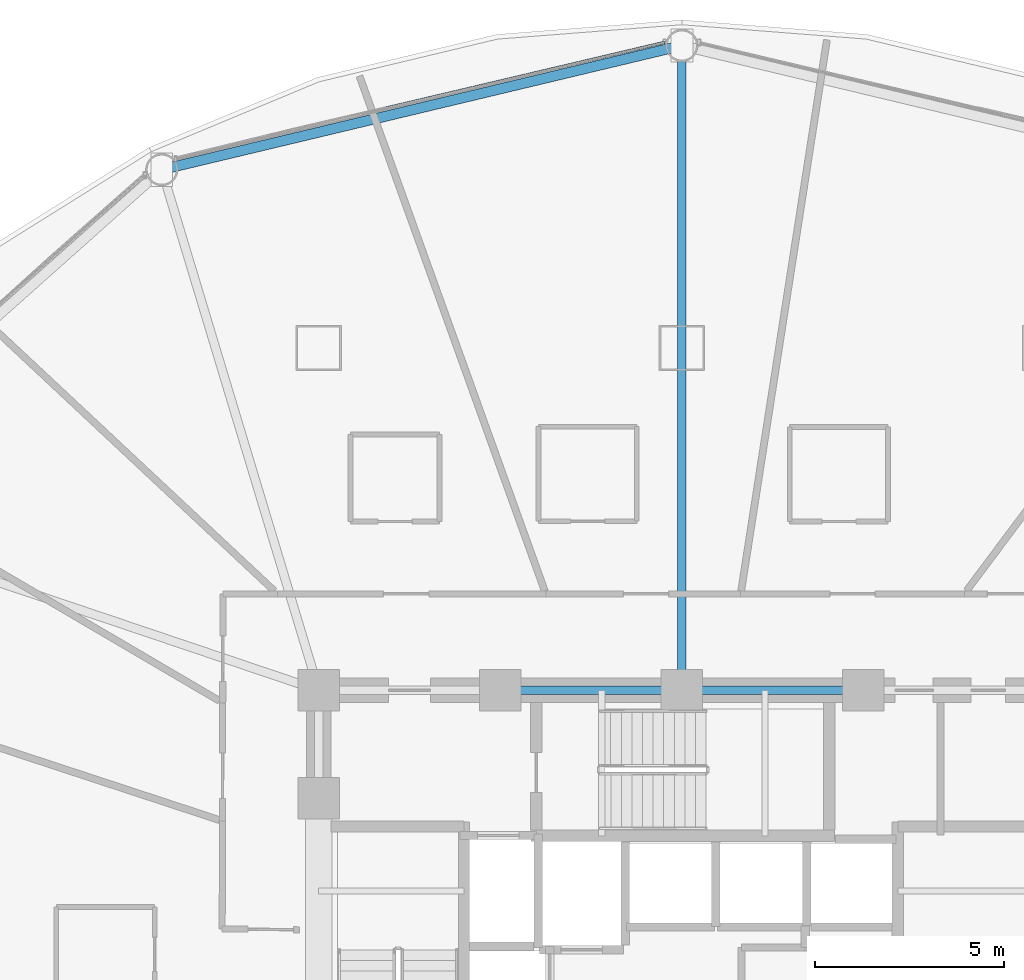
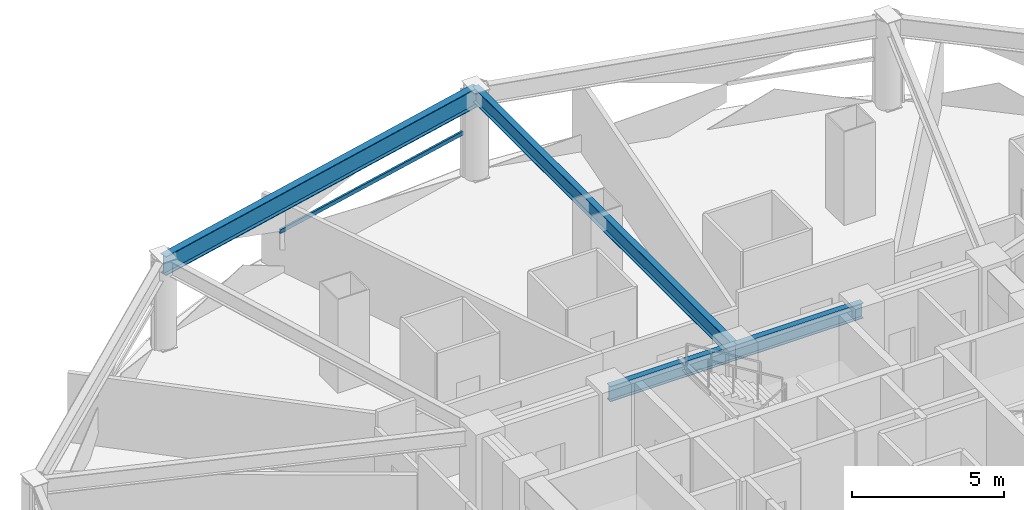
# One storey, part 16 of 30: 4 beams, 1 member, 1 element without a shape of its own.
"""IFC4 building model written with IfcOpenShell, lengths in metres."""

import ifcopenshell
import ifcopenshell.guid

model = None  # the IFC model being written
_history = None  # IfcOwnerHistory: only IFC2X3 demands one
_inside = {}  # id of a spatial element -> (the spatial element, [elements in it])
_under = {}  # id of a project, library or spatial element -> (it, [spatial elements below it])
_declared = {}  # id of a project -> (the project, [libraries it declares])
_typed = {}  # id of a type object -> (the type object, [elements of that type])
_made_of = {}  # id of a material, layer set ... -> (it, [elements and type objects made of it])


def new_model(schema):
    """Start an empty IFC model of exactly this schema.

    Asked for "IFC4X3", IfcOpenShell would pick the latest addendum, in which some entities
    have other attributes; the version numbers below select the first issue.
    IFC2X3 requires an IfcOwnerHistory on every rooted entity: one is made here for all.
    """
    global model, _history
    if schema == "IFC4X3":
        model = ifcopenshell.file(schema_version=(4, 3, 0, 0))
    else:
        model = ifcopenshell.file(schema=schema)
    _inside.clear()
    _under.clear()
    _declared.clear()
    _typed.clear()
    _made_of.clear()
    _history = None
    if model.schema == "IFC2X3":
        org = make("IfcOrganization", Name="unknown")
        user = make(
            "IfcPersonAndOrganization",
            ThePerson=make("IfcPerson", FamilyName="unknown"),
            TheOrganization=org,
        )
        app = make(
            "IfcApplication",
            ApplicationDeveloper=org,
            Version="unknown",
            ApplicationFullName="unknown",
            ApplicationIdentifier="unknown",
        )
        _history = make(
            "IfcOwnerHistory",
            OwningUser=user,
            OwningApplication=app,
            ChangeAction="ADDED",
            CreationDate=0,
        )
    return model


def make(cls, **values):
    """One entity of the class cls with the attributes given. An attribute that is None is left unset."""
    return model.create_entity(
        cls, **{name: value for name, value in values.items() if value is not None}
    )


def rooted(cls, **values):
    """An entity with a GlobalId (a new one), such as an element, a storey or a relation."""
    return make(cls, GlobalId=ifcopenshell.guid.new(), OwnerHistory=_history, **values)


def si_unit(unit_type, name, prefix=None):
    """IfcSIUnit, for example si_unit("LENGTHUNIT", "METRE", prefix="MILLI")."""
    return make("IfcSIUnit", UnitType=unit_type, Prefix=prefix, Name=name)


def assignment(units):
    """IfcUnitAssignment: the units of a project."""
    return None if units is None else make("IfcUnitAssignment", Units=units)


def point(xyz):
    """IfcCartesianPoint."""
    return None if xyz is None else make("IfcCartesianPoint", Coordinates=xyz)


def direction(xyz):
    """IfcDirection."""
    return None if xyz is None else make("IfcDirection", DirectionRatios=xyz)


def frame(location, z_axis=None, x_axis=None):
    """IfcAxis2Placement3D, a coordinate frame: its origin and axes. An axis left out is left unset."""
    return make(
        "IfcAxis2Placement3D",
        Location=point(location),
        Axis=direction(z_axis),
        RefDirection=direction(x_axis),
    )


def frame_2d(location, x_axis=None):
    """IfcAxis2Placement2D, a coordinate frame in the plane: its origin and x axis."""
    return make(
        "IfcAxis2Placement2D", Location=point(location), RefDirection=direction(x_axis)
    )


def origin():
    """The frame at (0, 0, 0) with its axes left unset."""
    return frame((0.0, 0.0, 0.0))


def origin_2d():
    """The frame at (0, 0) in the plane with its x axis left unset."""
    return frame_2d((0.0, 0.0))


def place(relative_to, where):
    """IfcLocalPlacement: puts the frame where relative to a parent placement (None: the world)."""
    return make(
        "IfcLocalPlacement", PlacementRelTo=relative_to, RelativePlacement=where
    )


def context(
    kind, dimensions, precision=None, world=None, true_north=None, identifier=None
):
    """IfcGeometricRepresentationContext, for example the 3D "Model" context."""
    return make(
        "IfcGeometricRepresentationContext",
        ContextIdentifier=identifier,
        ContextType=kind,
        CoordinateSpaceDimension=dimensions,
        Precision=precision,
        WorldCoordinateSystem=world,
        TrueNorth=true_north,
    )


def subcontext(parent, identifier, kind, view, scale=None):
    """IfcGeometricRepresentationSubContext, for example "Body" below "Model"."""
    return make(
        "IfcGeometricRepresentationSubContext",
        ContextIdentifier=identifier,
        ContextType=kind,
        ParentContext=parent,
        TargetScale=scale,
        TargetView=view,
    )


def project(units=None, contexts=None):
    """IfcProject with its units and contexts."""
    return rooted(
        "IfcProject",
        Name="project",
        RepresentationContexts=contexts,
        UnitsInContext=assignment(units),
    )


def spatial(cls, under=None, at=None, **own):
    """A site, building, storey or space (cls), placed at a placement, below another one or the project."""
    s = rooted(cls, ObjectPlacement=at, **own)
    if under is not None:
        _under.setdefault(under.id(), (under, []))[1].append(s)
    return s


def profile(cls, at=None, kind="AREA", **sizes):
    """A parametric profile (cls). Its sizes go by their IFC names, for example OverallWidth=200.0."""
    return make(cls, ProfileType=kind, Position=at, **sizes)


def hollow_rectangle(**sizes):
    """IfcRectangleHollowProfileDef."""
    return profile("IfcRectangleHollowProfileDef", **sizes)


def i_section(**sizes):
    """IfcIShapeProfileDef."""
    return profile("IfcIShapeProfileDef", **sizes)


def extrude(swept, where, along, depth):
    """IfcExtrudedAreaSolid: the profile swept, set in the frame where, extruded along a direction by depth."""
    return make(
        "IfcExtrudedAreaSolid",
        SweptArea=swept,
        Position=where,
        ExtrudedDirection=direction(along),
        Depth=depth,
    )


def shape(context_of_items, identifier, shape_type, items):
    """IfcShapeRepresentation: the items that make up one representation, for example the "Body"."""
    return make(
        "IfcShapeRepresentation",
        ContextOfItems=context_of_items,
        RepresentationIdentifier=identifier,
        RepresentationType=shape_type,
        Items=items,
    )


def material(Name=None, Category=None):
    """IfcMaterial."""
    return make("IfcMaterial", Name=Name, Category=Category)


def layer(
    of_material, thickness, ventilated=None, Name=None, Category=None, Priority=None
):
    """IfcMaterialLayer: one layer of a wall or slab, of a material (None: an air gap)."""
    return make(
        "IfcMaterialLayer",
        Material=of_material,
        LayerThickness=thickness,
        IsVentilated=ventilated,
        Name=Name,
        Category=Category,
        Priority=Priority,
    )


def layer_set(layers, Name=None):
    """IfcMaterialLayerSet."""
    return make("IfcMaterialLayerSet", MaterialLayers=layers, LayerSetName=Name)


def material_profile(
    of_material, cross_section, Name=None, Category=None, Priority=None
):
    """IfcMaterialProfile: a cross section and its material."""
    return make(
        "IfcMaterialProfile",
        Name=Name,
        Material=of_material,
        Profile=cross_section,
        Priority=Priority,
        Category=Category,
    )


def profile_set(profiles, Name=None, composite=None):
    """IfcMaterialProfileSet."""
    return make(
        "IfcMaterialProfileSet",
        Name=Name,
        MaterialProfiles=profiles,
        CompositeProfile=composite,
    )


def made_of(thing, what):
    """Note that an element or type object is made of a material, layer set ...; save() writes the relation."""
    if what is not None:
        _made_of.setdefault(what.id(), (what, []))[1].append(thing)
    return thing


def type_object(cls, material=None, **own):
    """A type object (cls), such as IfcWallType, which elements share."""
    return made_of(rooted(cls, **own), material)


def element(
    cls,
    number,
    at=None,
    inside=None,
    cuts=None,
    type_object=None,
    material=None,
    context=None,
    identifier="Body",
    shape_type=None,
    held_by="IfcProductDefinitionShape",
    body=None,
    shapes=None,
    **own,
):
    """One element of the class cls, such as IfcWall. Its Tag is "e" and its number.

    at: its placement. inside: the storey or other place that contains it. cuts: it is an
    opening in that element (IfcRelVoidsElement). A single representation is given by context,
    identifier, shape_type and body (its items); several are given by shapes. held_by: the class
    of the entity that holds the representations. save() writes the other relations.
    """
    e = rooted(cls, Tag="e%d" % number, ObjectPlacement=at, **own)
    if body is not None:
        shapes = [shape(context, identifier, shape_type, body)]
    if shapes is not None:
        e.Representation = make(held_by, Representations=shapes)
    if inside is not None:
        _inside.setdefault(inside.id(), (inside, []))[1].append(e)
    if cuts is not None:
        rooted(
            "IfcRelVoidsElement", RelatingBuildingElement=cuts, RelatedOpeningElement=e
        )
    if type_object is not None:
        _typed.setdefault(type_object.id(), (type_object, []))[1].append(e)
    return made_of(e, material)


def aggregate(whole, parts):
    """IfcRelAggregates: a whole, such as a stair, and the parts it consists of."""
    return rooted("IfcRelAggregates", RelatingObject=whole, RelatedObjects=parts)


def save(model, path):
    """Write the relations noted so far, then the file.

    IfcRelAggregates (storeys below a building ...), IfcRelContainedInSpatialStructure (elements
    in a storey), IfcRelDefinesByType, IfcRelAssociatesMaterial and IfcRelDeclares: one each for
    every whole, place, type object, material and project.
    """
    for whole, parts in _under.values():
        aggregate(whole, parts)
    for where, things in _inside.values():
        rooted(
            "IfcRelContainedInSpatialStructure",
            RelatedElements=things,
            RelatingStructure=where,
        )
    for kind, things in _typed.values():
        rooted("IfcRelDefinesByType", RelatedObjects=things, RelatingType=kind)
    for what, things in _made_of.values():
        rooted("IfcRelAssociatesMaterial", RelatedObjects=things, RelatingMaterial=what)
    for by, libraries in _declared.values():
        rooted("IfcRelDeclares", RelatingContext=by, RelatedDefinitions=libraries)
    model.write(path)


model = new_model("IFC4")

# Units and contexts
model_context = context("Model", 3, precision=1e-05, world=origin(), true_north=direction((0.0, 1.0)))
body_context = subcontext(model_context, "Body", "Model", "MODEL_VIEW")
ifc_project = project(units=[si_unit("LENGTHUNIT", "METRE"), si_unit("AREAUNIT", "SQUARE_METRE"), si_unit("VOLUMEUNIT", "CUBIC_METRE"), si_unit("PLANEANGLEUNIT", "RADIAN"), si_unit("MASSUNIT", "GRAM", prefix="KILO")], contexts=[model_context])

# Site, building, storey
site_placement = place(None, origin())
site = spatial("IfcSite", under=ifc_project, at=site_placement, CompositionType="ELEMENT")
building_placement = place(site_placement, origin())
building = spatial("IfcBuilding", under=site, at=building_placement, Name="Vantalir Tower", CompositionType="ELEMENT")
storey_placement = place(building_placement, frame((0.0, 0.0, 83.25)))
storey = spatial("IfcBuildingStorey", under=building, at=storey_placement, Name="L20", CompositionType="ELEMENT", Elevation=83.25)

# Beams
ifc_material_1 = material(Name="Steel S355", Category="steel")
ifc_material_profile_1 = material_profile(ifc_material_1, i_section(OverallWidth=0.22998046875, OverallDepth=0.616943359375, WebThickness=0.01318359375, FlangeThickness=0.022216796875, at=origin_2d()), Name="Steel S355")
ifc_profile_set_1 = profile_set([ifc_material_profile_1], Name="Steel S355")
beam_type_1 = type_object("IfcBeamType", Name="BM-RB-610x229", PredefinedType="BEAM", material=ifc_profile_set_1)
for number, where, z_axis, x_axis, name in (
    (1, (36.300048828125, 32.449951171875, 3.261962890625), (-1.0, 0.0, 0.0), (0.0, -1.0, 0.0), "L20 Core Coupling Girder 09"),
    (2, (31.5, 32.449951171875, 3.261962890625), (-1.0, 0.0, 0.0), (0.0, -1.0, 0.0), "L20 Core Coupling Girder 10"),
):
    element("IfcBeam", number, at=place(storey_placement, frame(where, z_axis=z_axis, x_axis=x_axis)), inside=storey, type_object=beam_type_1, Name=name, PredefinedType="BEAM", context=body_context, shape_type="SweptSolid", body=[
        extrude(i_section(OverallWidth=0.22998046875, OverallDepth=0.616943359375, WebThickness=0.01318359375, FlangeThickness=0.022216796875, at=origin_2d()), origin(), (0.0, 0.0, 1.0), 4.800048828125),
    ])
beam_1_placement = place(storey_placement, frame((31.5, 49.4951171875, 3.261962890625), z_axis=(0.0, -1.0, 0.0), x_axis=(1.0, 0.0, 0.0)))
element("IfcBeam", 3, at=beam_1_placement, inside=storey, type_object=beam_type_1, Name="L20 Radial Floor Beam 04", PredefinedType="BEAM", context=body_context, shape_type="SweptSolid", body=[
    extrude(i_section(OverallWidth=0.22998046875, OverallDepth=0.616943359375, WebThickness=0.01318359375, FlangeThickness=0.022216796875, at=origin_2d()), origin(), (0.0, 0.0, 1.0), 17.045166015625),
])
ifc_material_2 = material(Name="Steel S460", Category="steel")
ifc_material_profile_2 = material_profile(ifc_material_2, i_section(OverallWidth=0.26806640625, OverallDepth=0.77001953125, WebThickness=0.015625, FlangeThickness=0.025390625, at=origin_2d()), Name="Steel S460")
ifc_profile_set_2 = profile_set([ifc_material_profile_2], Name="Steel S460")
beam_type_2 = type_object("IfcBeamType", Name="BM-RG-762x267", PredefinedType="USERDEFINED", material=ifc_profile_set_2)
beam_2_placement = place(storey_placement, frame((31.5, 49.4951171875, 3.18505859375), z_axis=(-0.972671890468, -0.232183964763, 0.0), x_axis=(0.232183964763, -0.972671890468, 0.0)))
element("IfcBeam", 4, at=beam_2_placement, inside=storey, type_object=beam_type_2, Name="L20 Circumferential Ring Girder 04", ObjectType="GIRDER", PredefinedType="USERDEFINED", context=body_context, shape_type="SweptSolid", body=[
    extrude(i_section(OverallWidth=0.26806640625, OverallDepth=0.77001953125, WebThickness=0.015625, FlangeThickness=0.025390625, at=origin_2d()), origin(), (0.0, 0.0, 1.0), 14.13623046875),
])

# Curtain wall, member
ifc_material_3 = material(Name="Champagne-silver PVDF aluminium and double-silver Low-E glass", Category="aluminium")
ifc_layer = layer(ifc_material_3, 0.18994140625)
ifc_layer_set = layer_set([ifc_layer], Name="Champagne-silver PVDF aluminium and double-silver Low-E glass")
curtain_wall_type = type_object("IfcCurtainWallType", Name="CW-DIAMOND-Z1", PredefinedType="USERDEFINED", material=ifc_layer_set)
curtain_wall_placement = place(storey_placement, origin())
curtain_wall = element("IfcCurtainWall", 5, at=curtain_wall_placement, inside=storey, type_object=curtain_wall_type, Name="L20 Quilted Pyramid-Diamond Curtain Wall S04", ObjectType="UNITISED CURTAIN WALL", PredefinedType="USERDEFINED")
ifc_material_4 = material(Name="Champagne-silver PVDF aluminium 6063-T6", Category="aluminium")
ifc_material_profile_3 = material_profile(ifc_material_4, hollow_rectangle(XDim=0.074951171875, YDim=0.159912109375, WallThickness=0.00390625, at=origin_2d()), Name="Champagne-silver PVDF aluminium 6063-T6")
ifc_profile_set_3 = profile_set([ifc_material_profile_3], Name="Champagne-silver PVDF aluminium 6063-T6")
member_type = type_object("IfcMemberType", Name="CWT-160x75", PredefinedType="USERDEFINED", material=ifc_profile_set_3)
member_placement = place(storey_placement, frame((31.04296875, 49.575927734375, 1.784912109375), z_axis=(-0.973298610442, -0.229542621122, 0.0), x_axis=(0.229542621122, -0.973298610442, 0.0)))
member = element("IfcMember", 6, at=member_placement, type_object=member_type, Name="CW-L20-S04 Pyramid Fold Ridge Transom", ObjectType="TRANSOM", PredefinedType="USERDEFINED", context=body_context, shape_type="SweptSolid", body=[
    extrude(hollow_rectangle(XDim=0.074951171875, YDim=0.159912109375, WallThickness=0.00390625, at=origin_2d()), origin(), (0.0, 0.0, 1.0), 8.24609375),
])
aggregate(curtain_wall, [member])

save(model, "model.ifc")
